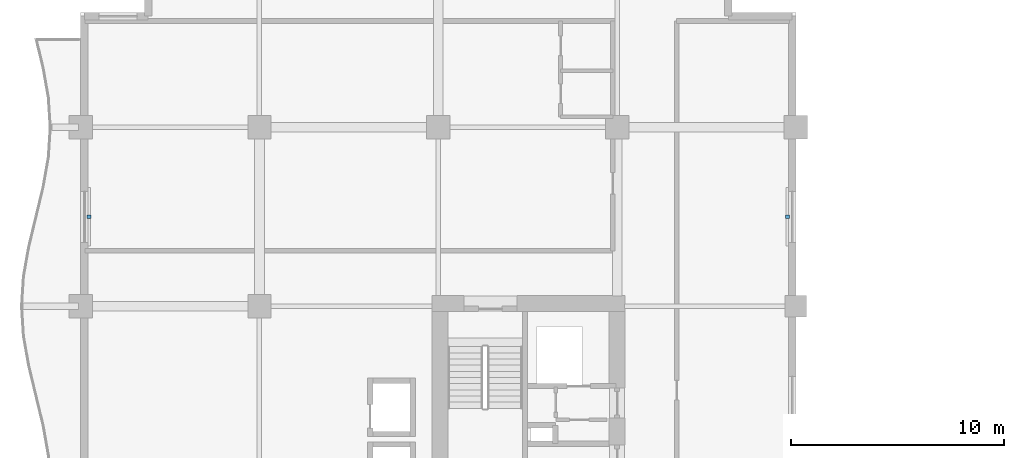
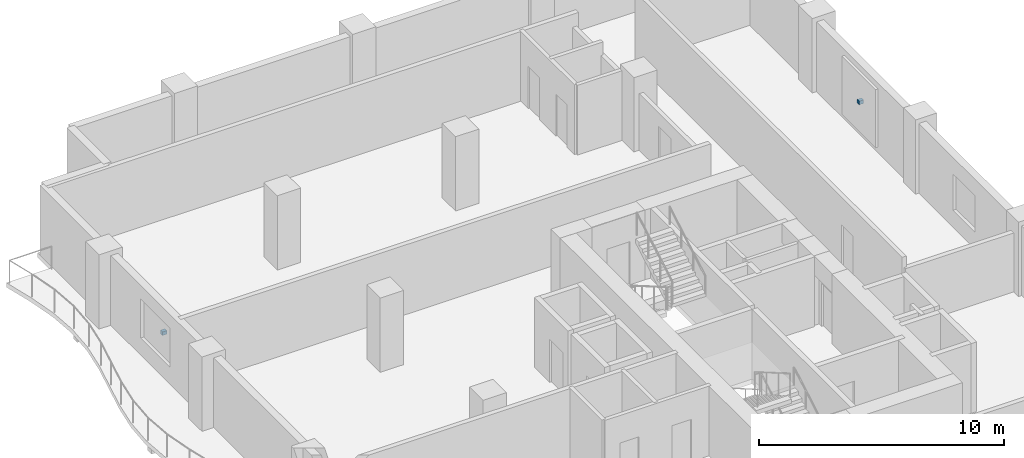
# One storey, part 18 of 22: 2 discrete accessories.
"""IFC4 building model written with IfcOpenShell, lengths in metres."""

from ifc_helpers import new_model, si_unit, direction, frame, origin, origin_2d, place, context, subcontext, project, spatial, rectangle, extrude, material, type_object, element, save


model = new_model("IFC4")

# Units and contexts
model_context = context("Model", 3, precision=1e-05, world=origin(), true_north=direction((0.0, 1.0)))
body_context = subcontext(model_context, "Body", "Model", "MODEL_VIEW")
ifc_project = project(units=[si_unit("LENGTHUNIT", "METRE"), si_unit("AREAUNIT", "SQUARE_METRE"), si_unit("VOLUMEUNIT", "CUBIC_METRE"), si_unit("PLANEANGLEUNIT", "RADIAN"), si_unit("MASSUNIT", "GRAM", prefix="KILO")], contexts=[model_context])

# Site, building, storey
site_placement = place(None, origin())
site = spatial("IfcSite", under=ifc_project, at=site_placement, CompositionType="ELEMENT")
building_placement = place(site_placement, origin())
building = spatial("IfcBuilding", under=site, at=building_placement, Name="Koriwani Terraces Tower", CompositionType="ELEMENT")
storey_placement = place(building_placement, frame((0.0, 0.0, 168.0)))
storey = spatial("IfcBuildingStorey", under=building, at=storey_placement, Name="L40", CompositionType="ELEMENT", Elevation=168.0)

# Discrete accessories
ifc_material = material(Name="Steel ASTM A572 Grade 50", Category="steel")
discrete_accessory_type = type_object("IfcDiscreteAccessoryType", Name="BAGUETTE_STANDOFF_BRACKET", PredefinedType="BRACKET", material=ifc_material)
for number, where, z_axis, x_axis, name in (
    (1, (0.389892578125, 63.0, 1.64501953125), (0.0, 0.0, 1.0), (0.0, 1.0, 0.0), "L40 Terracotta Baguette Bracket (W-21)"),
    (2, (33.2099609375, 63.0, 1.64501953125), (0.0, 0.0, 1.0), (0.0, -1.0, 0.0), "L40 Terracotta Baguette Bracket (NW_IN-11)"),
):
    element("IfcDiscreteAccessory", number, at=place(storey_placement, frame(where, z_axis=z_axis, x_axis=x_axis)), inside=storey, type_object=discrete_accessory_type, Name=name, PredefinedType="BRACKET", context=body_context, shape_type="SweptSolid", body=[
        extrude(rectangle(XDim=0.159912109375, YDim=0.199951171875, at=origin_2d()), origin(), (0.0, 0.0, 1.0), 0.179931640625),
    ])

save(model, "model.ifc")
